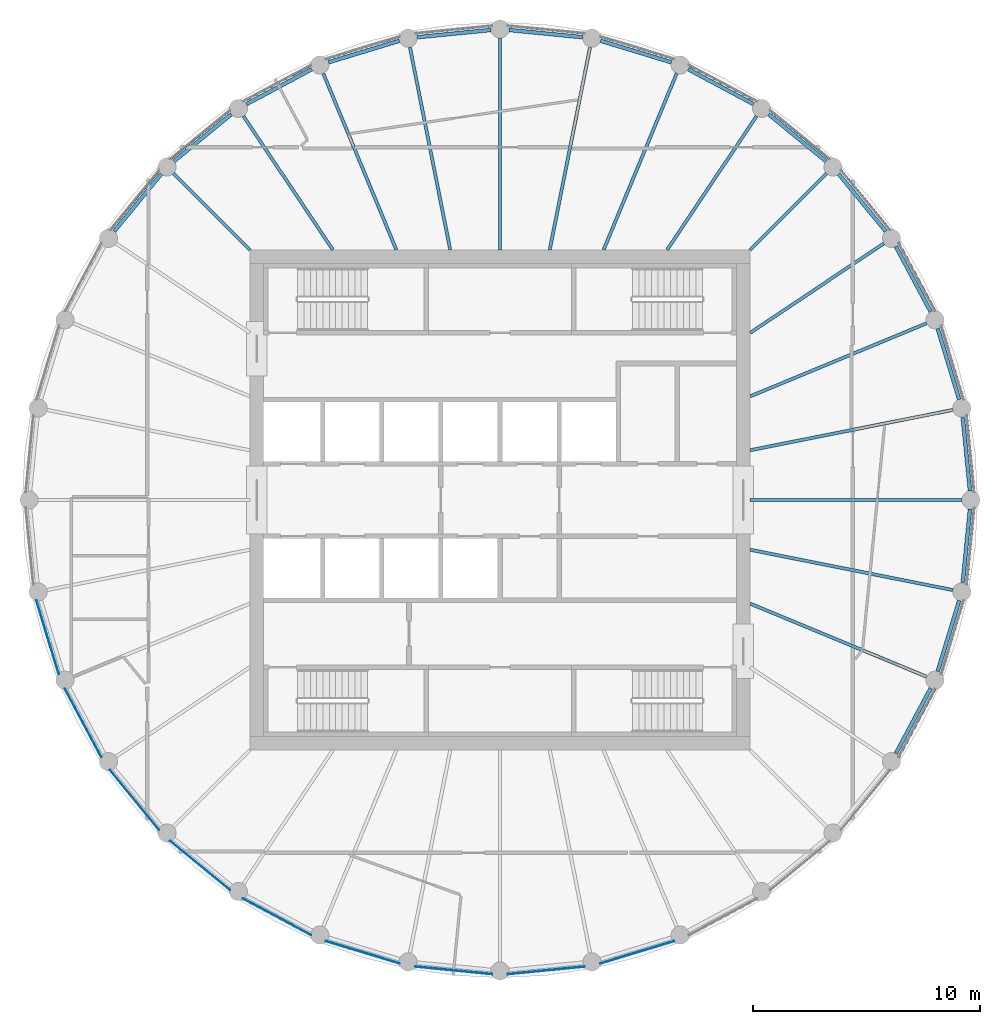
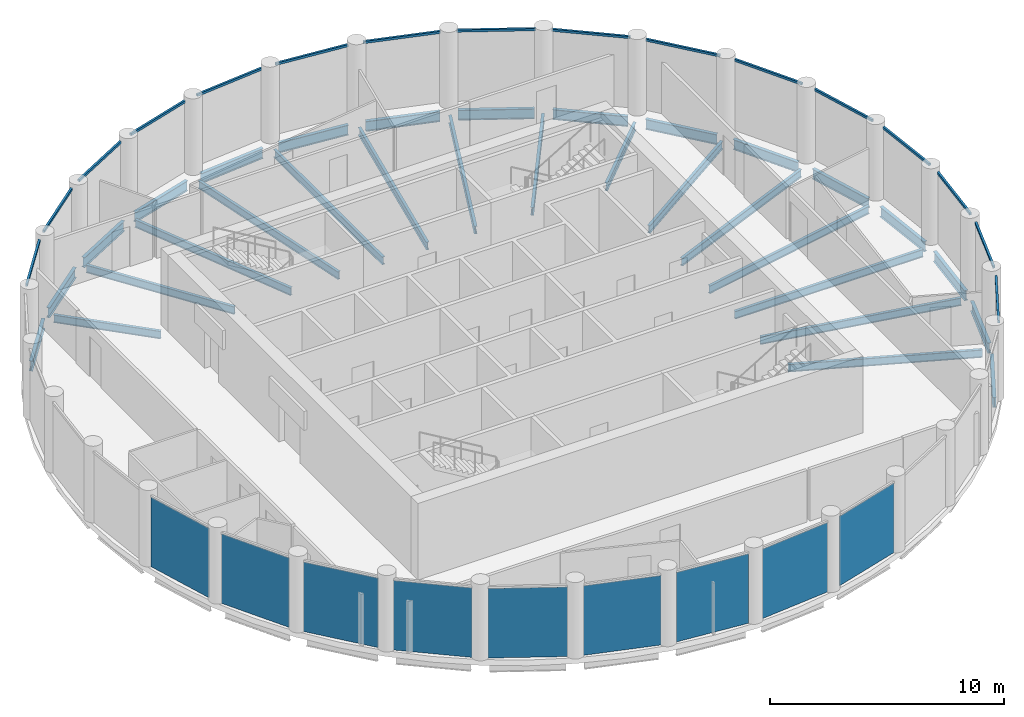
# One storey, part 2 of 7: 31 beams, 16 members, 9 plates, 25 elements without a shape of their own.
"""IFC4 building model written with IfcOpenShell, lengths in metres."""

import ifcopenshell
import ifcopenshell.guid

model = None  # the IFC model being written
_history = None  # IfcOwnerHistory: only IFC2X3 demands one
_inside = {}  # id of a spatial element -> (the spatial element, [elements in it])
_under = {}  # id of a project, library or spatial element -> (it, [spatial elements below it])
_declared = {}  # id of a project -> (the project, [libraries it declares])
_typed = {}  # id of a type object -> (the type object, [elements of that type])
_made_of = {}  # id of a material, layer set ... -> (it, [elements and type objects made of it])


def new_model(schema):
    """Start an empty IFC model of exactly this schema.

    Asked for "IFC4X3", IfcOpenShell would pick the latest addendum, in which some entities
    have other attributes; the version numbers below select the first issue.
    IFC2X3 requires an IfcOwnerHistory on every rooted entity: one is made here for all.
    """
    global model, _history
    if schema == "IFC4X3":
        model = ifcopenshell.file(schema_version=(4, 3, 0, 0))
    else:
        model = ifcopenshell.file(schema=schema)
    _inside.clear()
    _under.clear()
    _declared.clear()
    _typed.clear()
    _made_of.clear()
    _history = None
    if model.schema == "IFC2X3":
        org = make("IfcOrganization", Name="unknown")
        user = make(
            "IfcPersonAndOrganization",
            ThePerson=make("IfcPerson", FamilyName="unknown"),
            TheOrganization=org,
        )
        app = make(
            "IfcApplication",
            ApplicationDeveloper=org,
            Version="unknown",
            ApplicationFullName="unknown",
            ApplicationIdentifier="unknown",
        )
        _history = make(
            "IfcOwnerHistory",
            OwningUser=user,
            OwningApplication=app,
            ChangeAction="ADDED",
            CreationDate=0,
        )
    return model


def make(cls, **values):
    """One entity of the class cls with the attributes given. An attribute that is None is left unset."""
    return model.create_entity(
        cls, **{name: value for name, value in values.items() if value is not None}
    )


def rooted(cls, **values):
    """An entity with a GlobalId (a new one), such as an element, a storey or a relation."""
    return make(cls, GlobalId=ifcopenshell.guid.new(), OwnerHistory=_history, **values)


def si_unit(unit_type, name, prefix=None):
    """IfcSIUnit, for example si_unit("LENGTHUNIT", "METRE", prefix="MILLI")."""
    return make("IfcSIUnit", UnitType=unit_type, Prefix=prefix, Name=name)


def assignment(units):
    """IfcUnitAssignment: the units of a project."""
    return None if units is None else make("IfcUnitAssignment", Units=units)


def point(xyz):
    """IfcCartesianPoint."""
    return None if xyz is None else make("IfcCartesianPoint", Coordinates=xyz)


def direction(xyz):
    """IfcDirection."""
    return None if xyz is None else make("IfcDirection", DirectionRatios=xyz)


def frame(location, z_axis=None, x_axis=None):
    """IfcAxis2Placement3D, a coordinate frame: its origin and axes. An axis left out is left unset."""
    return make(
        "IfcAxis2Placement3D",
        Location=point(location),
        Axis=direction(z_axis),
        RefDirection=direction(x_axis),
    )


def frame_2d(location, x_axis=None):
    """IfcAxis2Placement2D, a coordinate frame in the plane: its origin and x axis."""
    return make(
        "IfcAxis2Placement2D", Location=point(location), RefDirection=direction(x_axis)
    )


def origin():
    """The frame at (0, 0, 0) with its axes left unset."""
    return frame((0.0, 0.0, 0.0))


def origin_2d():
    """The frame at (0, 0) in the plane with its x axis left unset."""
    return frame_2d((0.0, 0.0))


def place(relative_to, where):
    """IfcLocalPlacement: puts the frame where relative to a parent placement (None: the world)."""
    return make(
        "IfcLocalPlacement", PlacementRelTo=relative_to, RelativePlacement=where
    )


def context(
    kind, dimensions, precision=None, world=None, true_north=None, identifier=None
):
    """IfcGeometricRepresentationContext, for example the 3D "Model" context."""
    return make(
        "IfcGeometricRepresentationContext",
        ContextIdentifier=identifier,
        ContextType=kind,
        CoordinateSpaceDimension=dimensions,
        Precision=precision,
        WorldCoordinateSystem=world,
        TrueNorth=true_north,
    )


def subcontext(parent, identifier, kind, view, scale=None):
    """IfcGeometricRepresentationSubContext, for example "Body" below "Model"."""
    return make(
        "IfcGeometricRepresentationSubContext",
        ContextIdentifier=identifier,
        ContextType=kind,
        ParentContext=parent,
        TargetScale=scale,
        TargetView=view,
    )


def project(units=None, contexts=None):
    """IfcProject with its units and contexts."""
    return rooted(
        "IfcProject",
        Name="project",
        RepresentationContexts=contexts,
        UnitsInContext=assignment(units),
    )


def spatial(cls, under=None, at=None, **own):
    """A site, building, storey or space (cls), placed at a placement, below another one or the project."""
    s = rooted(cls, ObjectPlacement=at, **own)
    if under is not None:
        _under.setdefault(under.id(), (under, []))[1].append(s)
    return s


def profile(cls, at=None, kind="AREA", **sizes):
    """A parametric profile (cls). Its sizes go by their IFC names, for example OverallWidth=200.0."""
    return make(cls, ProfileType=kind, Position=at, **sizes)


def rectangle(**sizes):
    """IfcRectangleProfileDef."""
    return profile("IfcRectangleProfileDef", **sizes)


def i_section(**sizes):
    """IfcIShapeProfileDef."""
    return profile("IfcIShapeProfileDef", **sizes)


def extrude(swept, where, along, depth):
    """IfcExtrudedAreaSolid: the profile swept, set in the frame where, extruded along a direction by depth."""
    return make(
        "IfcExtrudedAreaSolid",
        SweptArea=swept,
        Position=where,
        ExtrudedDirection=direction(along),
        Depth=depth,
    )


def shape(context_of_items, identifier, shape_type, items):
    """IfcShapeRepresentation: the items that make up one representation, for example the "Body"."""
    return make(
        "IfcShapeRepresentation",
        ContextOfItems=context_of_items,
        RepresentationIdentifier=identifier,
        RepresentationType=shape_type,
        Items=items,
    )


def material(Name=None, Category=None):
    """IfcMaterial."""
    return make("IfcMaterial", Name=Name, Category=Category)


def layer(
    of_material, thickness, ventilated=None, Name=None, Category=None, Priority=None
):
    """IfcMaterialLayer: one layer of a wall or slab, of a material (None: an air gap)."""
    return make(
        "IfcMaterialLayer",
        Material=of_material,
        LayerThickness=thickness,
        IsVentilated=ventilated,
        Name=Name,
        Category=Category,
        Priority=Priority,
    )


def layer_set(layers, Name=None):
    """IfcMaterialLayerSet."""
    return make("IfcMaterialLayerSet", MaterialLayers=layers, LayerSetName=Name)


def material_profile(
    of_material, cross_section, Name=None, Category=None, Priority=None
):
    """IfcMaterialProfile: a cross section and its material."""
    return make(
        "IfcMaterialProfile",
        Name=Name,
        Material=of_material,
        Profile=cross_section,
        Priority=Priority,
        Category=Category,
    )


def profile_set(profiles, Name=None, composite=None):
    """IfcMaterialProfileSet."""
    return make(
        "IfcMaterialProfileSet",
        Name=Name,
        MaterialProfiles=profiles,
        CompositeProfile=composite,
    )


def made_of(thing, what):
    """Note that an element or type object is made of a material, layer set ...; save() writes the relation."""
    if what is not None:
        _made_of.setdefault(what.id(), (what, []))[1].append(thing)
    return thing


def type_object(cls, material=None, **own):
    """A type object (cls), such as IfcWallType, which elements share."""
    return made_of(rooted(cls, **own), material)


def element(
    cls,
    number,
    at=None,
    inside=None,
    cuts=None,
    type_object=None,
    material=None,
    context=None,
    identifier="Body",
    shape_type=None,
    held_by="IfcProductDefinitionShape",
    body=None,
    shapes=None,
    **own,
):
    """One element of the class cls, such as IfcWall. Its Tag is "e" and its number.

    at: its placement. inside: the storey or other place that contains it. cuts: it is an
    opening in that element (IfcRelVoidsElement). A single representation is given by context,
    identifier, shape_type and body (its items); several are given by shapes. held_by: the class
    of the entity that holds the representations. save() writes the other relations.
    """
    e = rooted(cls, Tag="e%d" % number, ObjectPlacement=at, **own)
    if body is not None:
        shapes = [shape(context, identifier, shape_type, body)]
    if shapes is not None:
        e.Representation = make(held_by, Representations=shapes)
    if inside is not None:
        _inside.setdefault(inside.id(), (inside, []))[1].append(e)
    if cuts is not None:
        rooted(
            "IfcRelVoidsElement", RelatingBuildingElement=cuts, RelatedOpeningElement=e
        )
    if type_object is not None:
        _typed.setdefault(type_object.id(), (type_object, []))[1].append(e)
    return made_of(e, material)


def aggregate(whole, parts):
    """IfcRelAggregates: a whole, such as a stair, and the parts it consists of."""
    return rooted("IfcRelAggregates", RelatingObject=whole, RelatedObjects=parts)


def save(model, path):
    """Write the relations noted so far, then the file.

    IfcRelAggregates (storeys below a building ...), IfcRelContainedInSpatialStructure (elements
    in a storey), IfcRelDefinesByType, IfcRelAssociatesMaterial and IfcRelDeclares: one each for
    every whole, place, type object, material and project.
    """
    for whole, parts in _under.values():
        aggregate(whole, parts)
    for where, things in _inside.values():
        rooted(
            "IfcRelContainedInSpatialStructure",
            RelatedElements=things,
            RelatingStructure=where,
        )
    for kind, things in _typed.values():
        rooted("IfcRelDefinesByType", RelatedObjects=things, RelatingType=kind)
    for what, things in _made_of.values():
        rooted("IfcRelAssociatesMaterial", RelatedObjects=things, RelatingMaterial=what)
    for by, libraries in _declared.values():
        rooted("IfcRelDeclares", RelatingContext=by, RelatedDefinitions=libraries)
    model.write(path)


model = new_model("IFC4")

# Units and contexts
model_context = context("Model", 3, precision=1e-05, world=origin(), true_north=direction((0.0, 1.0)))
body_context = subcontext(model_context, "Body", "Model", "MODEL_VIEW")
ifc_project = project(units=[si_unit("LENGTHUNIT", "METRE"), si_unit("AREAUNIT", "SQUARE_METRE"), si_unit("VOLUMEUNIT", "CUBIC_METRE"), si_unit("PLANEANGLEUNIT", "RADIAN"), si_unit("MASSUNIT", "GRAM", prefix="KILO")], contexts=[model_context])

# Site, building, storey
site_placement = place(None, origin())
site = spatial("IfcSite", under=ifc_project, at=site_placement, CompositionType="ELEMENT")
building_placement = place(site_placement, origin())
building = spatial("IfcBuilding", under=site, at=building_placement, Name="Corvane Civic Tower", CompositionType="ELEMENT")
storey_placement = place(building_placement, frame((0.0, 0.0, 344.5)))
storey = spatial("IfcBuildingStorey", under=building, at=storey_placement, Name="L82", CompositionType="ELEMENT", Elevation=344.5)

# Beams
ifc_material_1 = material(Name="Steel ASTM A992 Gr 50", Category="steel")
ifc_material_profile_1 = material_profile(ifc_material_1, i_section(OverallWidth=0.165771484375, OverallDepth=0.5283203125, WebThickness=0.009765625, FlangeThickness=0.013671875, at=origin_2d()), Name="W21X50")
ifc_profile_set_1 = profile_set([ifc_material_profile_1], Name="Steel ASTM A992 Gr 50")
beam_type_1 = type_object("IfcBeamType", Name="EDGE BEAM W21X50", PredefinedType="BEAM", material=ifc_profile_set_1)
beam_1_placement = place(storey_placement, frame((0.39794921875, 20.66064453125, -0.564208984375), z_axis=(0.995192503142, -0.097938152369, 0.0), x_axis=(0.097938152369, 0.995192503142, 0.0)))
element("IfcBeam", 1, at=beam_1_placement, inside=storey, type_object=beam_type_1, Name="BM-L82-E01", PredefinedType="BEAM", context=body_context, shape_type="SweptSolid", body=[
    extrude(i_section(OverallWidth=0.165771484375, OverallDepth=0.5283203125, WebThickness=0.009765625, FlangeThickness=0.013671875, at=origin_2d()), origin(), (0.0, 0.0, 1.0), 3.258056640625),
])
for number, where, z_axis, x_axis, name in (
    (2, (4.421142578125, 20.18603515625, -0.564208984375), (0.956955679349, -0.290234091317, 0.0), (0.290234091317, 0.956955679349, 0.0), "BM-L82-E02"),
    (3, (8.2744140625, 18.935791015625, -0.564208984375), (0.881894065907, -0.471447618, 0.0), (0.471447618, 0.881894065907, 0.0), "BM-L82-E03"),
    (4, (11.8095703125, 16.957763671875, -0.564208984375), (0.772984791903, -0.634424551454, 0.0), (0.634424551454, 0.772984791903, 0.0), "BM-L82-E04"),
    (5, (14.890869140625, 14.327880859375, -0.564208984375), (0.634424551454, -0.772984791903, 0.0), (0.772984791903, 0.634424551454, 0.0), "BM-L82-E05"),
    (6, (17.39990234375, 11.1474609375, -0.564208984375), (0.471447618, -0.881894065907, 0.0), (0.881894065907, 0.471447618, 0.0), "BM-L82-E06"),
    (7, (19.240478515625, 7.538818359375, -0.564208984375), (0.290234091317, -0.956955679349, 0.0), (0.956955679349, 0.290234091317, 0.0), "BM-L82-E07"),
):
    element("IfcBeam", number, at=place(storey_placement, frame(where, z_axis=z_axis, x_axis=x_axis)), inside=storey, type_object=beam_type_1, Name=name, PredefinedType="BEAM", context=body_context, shape_type="SweptSolid", body=[
        extrude(i_section(OverallWidth=0.165771484375, OverallDepth=0.5283203125, WebThickness=0.009765625, FlangeThickness=0.013671875, at=origin_2d()), origin(), (0.0, 0.0, 1.0), 3.2578125),
    ])
for number, where, z_axis, x_axis, name in (
    (8, (20.341552734375, 3.640380859375, -0.564208984375), (0.097938152369, -0.995192503142, 0.0), (0.995192503142, 0.097938152369, 0.0), "BM-L82-E08"),
    (9, (20.66064453125, -0.39794921875, -0.564208984375), (-0.097938152369, -0.995192503142, 0.0), (0.995192503142, -0.097938152369, 0.0), "BM-L82-E09"),
):
    element("IfcBeam", number, at=place(storey_placement, frame(where, z_axis=z_axis, x_axis=x_axis)), inside=storey, type_object=beam_type_1, Name=name, PredefinedType="BEAM", context=body_context, shape_type="SweptSolid", body=[
        extrude(i_section(OverallWidth=0.165771484375, OverallDepth=0.5283203125, WebThickness=0.009765625, FlangeThickness=0.013671875, at=origin_2d()), origin(), (0.0, 0.0, 1.0), 3.258056640625),
    ])
for number, where, z_axis, x_axis, name in (
    (10, (20.18603515625, -4.421142578125, -0.564208984375), (-0.290234091317, -0.956955679349, 0.0), (0.956955679349, -0.290234091317, 0.0), "BM-L82-E10"),
    (11, (18.935791015625, -8.2744140625, -0.564208984375), (-0.471447618, -0.881894065907, 0.0), (0.881894065907, -0.471447618, 0.0), "BM-L82-E11"),
    (12, (-16.957763671875, 11.8095703125, -0.564208984375), (0.634424551454, 0.772984791903, 0.0), (-0.772984791903, 0.634424551454, 0.0), "BM-L82-E28"),
    (13, (-14.327880859375, 14.890869140625, -0.564208984375), (0.772984791903, 0.634424551454, 0.0), (-0.634424551454, 0.772984791903, 0.0), "BM-L82-E29"),
    (14, (-11.1474609375, 17.39990234375, -0.564208984375), (0.881894065907, 0.471447618, 0.0), (-0.471447618, 0.881894065907, 0.0), "BM-L82-E30"),
    (15, (-7.538818359375, 19.240478515625, -0.564208984375), (0.956955679349, 0.290234091317, 0.0), (-0.290234091317, 0.956955679349, 0.0), "BM-L82-E31"),
):
    element("IfcBeam", number, at=place(storey_placement, frame(where, z_axis=z_axis, x_axis=x_axis)), inside=storey, type_object=beam_type_1, Name=name, PredefinedType="BEAM", context=body_context, shape_type="SweptSolid", body=[
        extrude(i_section(OverallWidth=0.165771484375, OverallDepth=0.5283203125, WebThickness=0.009765625, FlangeThickness=0.013671875, at=origin_2d()), origin(), (0.0, 0.0, 1.0), 3.2578125),
    ])
beam_2_placement = place(storey_placement, frame((-3.640380859375, 20.341552734375, -0.564208984375), z_axis=(0.995192503142, 0.097938152369, 0.0), x_axis=(-0.097938152369, 0.995192503142, 0.0)))
element("IfcBeam", 16, at=beam_2_placement, inside=storey, type_object=beam_type_1, Name="BM-L82-E32", PredefinedType="BEAM", context=body_context, shape_type="SweptSolid", body=[
    extrude(i_section(OverallWidth=0.165771484375, OverallDepth=0.5283203125, WebThickness=0.009765625, FlangeThickness=0.013671875, at=origin_2d()), origin(), (0.0, 0.0, 1.0), 3.258056640625),
])
ifc_material_2 = material(Name="Steel ASTM A992 Gr 50", Category="steel")
ifc_material_profile_2 = material_profile(ifc_material_2, i_section(OverallWidth=0.140380859375, OverallDepth=0.40380859375, WebThickness=0.007080078125, FlangeThickness=0.01123046875, at=origin_2d()), Name="W16X31")
ifc_profile_set_2 = profile_set([ifc_material_profile_2], Name="Steel ASTM A992 Gr 50")
beam_type_2 = type_object("IfcBeamType", Name="FLOOR GIRDER W16X31", PredefinedType="BEAM", material=ifc_profile_set_2)
beam_3_placement = place(storey_placement, frame((0.0, 11.0, -0.501953125), z_axis=(0.0, 1.0, 0.0), x_axis=(-1.0, 0.0, 0.0)))
element("IfcBeam", 17, at=beam_3_placement, inside=storey, type_object=beam_type_2, Name="BM-L82-G01", PredefinedType="BEAM", context=body_context, shape_type="SweptSolid", body=[
    extrude(i_section(OverallWidth=0.140380859375, OverallDepth=0.40380859375, WebThickness=0.007080078125, FlangeThickness=0.01123046875, at=origin_2d()), origin(), (0.0, 0.0, 1.0), 9.300048828125),
])
beam_4_placement = place(storey_placement, frame((2.18798828125, 11.0, -0.501953125), z_axis=(0.195108241061, 0.980781715913, 0.0), x_axis=(-0.980781715913, 0.195108241061, 0.0)))
element("IfcBeam", 18, at=beam_4_placement, inside=storey, type_object=beam_type_2, Name="BM-L82-G02", PredefinedType="BEAM", context=body_context, shape_type="SweptSolid", body=[
    extrude(i_section(OverallWidth=0.140380859375, OverallDepth=0.40380859375, WebThickness=0.007080078125, FlangeThickness=0.01123046875, at=origin_2d()), origin(), (0.0, 0.0, 1.0), 9.08447265625),
])
beam_5_placement = place(storey_placement, frame((4.556396484375, 11.0, -0.501953125), z_axis=(0.382691739894, 0.923876091377, 0.0), x_axis=(-0.923876091377, 0.382691739894, 0.0)))
element("IfcBeam", 19, at=beam_5_placement, inside=storey, type_object=beam_type_2, Name="BM-L82-G03", PredefinedType="BEAM", context=body_context, shape_type="SweptSolid", body=[
    extrude(i_section(OverallWidth=0.140380859375, OverallDepth=0.40380859375, WebThickness=0.007080078125, FlangeThickness=0.01123046875, at=origin_2d()), origin(), (0.0, 0.0, 1.0), 8.3935546875),
])
beam_6_placement = place(storey_placement, frame((7.349853515625, 11.0, -0.501953125), z_axis=(0.555576401385, 0.831465490699, 0.0), x_axis=(-0.831465490699, 0.555576401385, 0.0)))
element("IfcBeam", 20, at=beam_6_placement, inside=storey, type_object=beam_type_2, Name="BM-L82-G04", PredefinedType="BEAM", context=body_context, shape_type="SweptSolid", body=[
    extrude(i_section(OverallWidth=0.140380859375, OverallDepth=0.40380859375, WebThickness=0.007080078125, FlangeThickness=0.01123046875, at=origin_2d()), origin(), (0.0, 0.0, 1.0), 7.070556640625),
])
beam_7_placement = place(storey_placement, frame((11.0, 11.0, -0.501953125), z_axis=(0.707106781187, 0.707106781187, 0.0), x_axis=(-0.707106781187, 0.707106781187, 0.0)))
element("IfcBeam", 21, at=beam_7_placement, inside=storey, type_object=beam_type_2, Name="BM-L82-G05", PredefinedType="BEAM", context=body_context, shape_type="SweptSolid", body=[
    extrude(i_section(OverallWidth=0.140380859375, OverallDepth=0.40380859375, WebThickness=0.007080078125, FlangeThickness=0.01123046875, at=origin_2d()), origin(), (0.0, 0.0, 1.0), 4.74365234375),
])
beam_8_placement = place(storey_placement, frame((11.0, 7.349853515625, -0.501953125), z_axis=(0.831465490699, 0.555576401385, 0.0), x_axis=(-0.555576401385, 0.831465490699, 0.0)))
element("IfcBeam", 22, at=beam_8_placement, inside=storey, type_object=beam_type_2, Name="BM-L82-G06", PredefinedType="BEAM", context=body_context, shape_type="SweptSolid", body=[
    extrude(i_section(OverallWidth=0.140380859375, OverallDepth=0.40380859375, WebThickness=0.007080078125, FlangeThickness=0.01123046875, at=origin_2d()), origin(), (0.0, 0.0, 1.0), 7.070556640625),
])
beam_9_placement = place(storey_placement, frame((11.0, 4.556396484375, -0.501953125), z_axis=(0.923876091377, 0.382691739894, 0.0), x_axis=(-0.382691739894, 0.923876091377, 0.0)))
element("IfcBeam", 23, at=beam_9_placement, inside=storey, type_object=beam_type_2, Name="BM-L82-G07", PredefinedType="BEAM", context=body_context, shape_type="SweptSolid", body=[
    extrude(i_section(OverallWidth=0.140380859375, OverallDepth=0.40380859375, WebThickness=0.007080078125, FlangeThickness=0.01123046875, at=origin_2d()), origin(), (0.0, 0.0, 1.0), 8.3935546875),
])
beam_10_placement = place(storey_placement, frame((11.0, 2.18798828125, -0.501953125), z_axis=(0.980781715913, 0.195108241061, 0.0), x_axis=(-0.195108241061, 0.980781715913, 0.0)))
element("IfcBeam", 24, at=beam_10_placement, inside=storey, type_object=beam_type_2, Name="BM-L82-G08", PredefinedType="BEAM", context=body_context, shape_type="SweptSolid", body=[
    extrude(i_section(OverallWidth=0.140380859375, OverallDepth=0.40380859375, WebThickness=0.007080078125, FlangeThickness=0.01123046875, at=origin_2d()), origin(), (0.0, 0.0, 1.0), 9.08447265625),
])
beam_11_placement = place(storey_placement, frame((11.0, 0.0, -0.501953125), z_axis=(1.0, 0.0, 0.0), x_axis=(0.0, 1.0, 0.0)))
element("IfcBeam", 25, at=beam_11_placement, inside=storey, type_object=beam_type_2, Name="BM-L82-G09", PredefinedType="BEAM", context=body_context, shape_type="SweptSolid", body=[
    extrude(i_section(OverallWidth=0.140380859375, OverallDepth=0.40380859375, WebThickness=0.007080078125, FlangeThickness=0.01123046875, at=origin_2d()), origin(), (0.0, 0.0, 1.0), 9.300048828125),
])
beam_12_placement = place(storey_placement, frame((11.0, -2.18798828125, -0.501953125), z_axis=(0.980781715913, -0.195108241061, 0.0), x_axis=(0.195108241061, 0.980781715913, 0.0)))
element("IfcBeam", 26, at=beam_12_placement, inside=storey, type_object=beam_type_2, Name="BM-L82-G10", PredefinedType="BEAM", context=body_context, shape_type="SweptSolid", body=[
    extrude(i_section(OverallWidth=0.140380859375, OverallDepth=0.40380859375, WebThickness=0.007080078125, FlangeThickness=0.01123046875, at=origin_2d()), origin(), (0.0, 0.0, 1.0), 9.08447265625),
])
beam_13_placement = place(storey_placement, frame((11.0, -4.556396484375, -0.501953125), z_axis=(0.923876091377, -0.382691739894, 0.0), x_axis=(0.382691739894, 0.923876091377, 0.0)))
element("IfcBeam", 27, at=beam_13_placement, inside=storey, type_object=beam_type_2, Name="BM-L82-G11", PredefinedType="BEAM", context=body_context, shape_type="SweptSolid", body=[
    extrude(i_section(OverallWidth=0.140380859375, OverallDepth=0.40380859375, WebThickness=0.007080078125, FlangeThickness=0.01123046875, at=origin_2d()), origin(), (0.0, 0.0, 1.0), 8.3935546875),
])
beam_14_placement = place(storey_placement, frame((-11.0, 11.0, -0.501953125), z_axis=(-0.707106781187, 0.707106781187, 0.0), x_axis=(-0.707106781187, -0.707106781187, 0.0)))
element("IfcBeam", 28, at=beam_14_placement, inside=storey, type_object=beam_type_2, Name="BM-L82-G29", PredefinedType="BEAM", context=body_context, shape_type="SweptSolid", body=[
    extrude(i_section(OverallWidth=0.140380859375, OverallDepth=0.40380859375, WebThickness=0.007080078125, FlangeThickness=0.01123046875, at=origin_2d()), origin(), (0.0, 0.0, 1.0), 4.74365234375),
])
beam_15_placement = place(storey_placement, frame((-7.349853515625, 11.0, -0.501953125), z_axis=(-0.555576401385, 0.831465490699, 0.0), x_axis=(-0.831465490699, -0.555576401385, 0.0)))
element("IfcBeam", 29, at=beam_15_placement, inside=storey, type_object=beam_type_2, Name="BM-L82-G30", PredefinedType="BEAM", context=body_context, shape_type="SweptSolid", body=[
    extrude(i_section(OverallWidth=0.140380859375, OverallDepth=0.40380859375, WebThickness=0.007080078125, FlangeThickness=0.01123046875, at=origin_2d()), origin(), (0.0, 0.0, 1.0), 7.070556640625),
])
beam_16_placement = place(storey_placement, frame((-4.556396484375, 11.0, -0.501953125), z_axis=(-0.382691739894, 0.923876091377, 0.0), x_axis=(-0.923876091377, -0.382691739894, 0.0)))
element("IfcBeam", 30, at=beam_16_placement, inside=storey, type_object=beam_type_2, Name="BM-L82-G31", PredefinedType="BEAM", context=body_context, shape_type="SweptSolid", body=[
    extrude(i_section(OverallWidth=0.140380859375, OverallDepth=0.40380859375, WebThickness=0.007080078125, FlangeThickness=0.01123046875, at=origin_2d()), origin(), (0.0, 0.0, 1.0), 8.3935546875),
])
beam_17_placement = place(storey_placement, frame((-2.18798828125, 11.0, -0.501953125), z_axis=(-0.195108241061, 0.980781715913, 0.0), x_axis=(-0.980781715913, -0.195108241061, 0.0)))
element("IfcBeam", 31, at=beam_17_placement, inside=storey, type_object=beam_type_2, Name="BM-L82-G32", PredefinedType="BEAM", context=body_context, shape_type="SweptSolid", body=[
    extrude(i_section(OverallWidth=0.140380859375, OverallDepth=0.40380859375, WebThickness=0.007080078125, FlangeThickness=0.01123046875, at=origin_2d()), origin(), (0.0, 0.0, 1.0), 9.08447265625),
])

# Curtain wall, member
ifc_material_3 = material(Name="Anodised aluminium bronze", Category="aluminium")
curtain_wall_type = type_object("IfcCurtainWallType", Name="TOWER CW-T3 STICK CURTAIN WALL", PredefinedType="NOTDEFINED", material=ifc_material_3)
curtain_wall_1_placement = place(storey_placement, origin())
curtain_wall_1 = element("IfcCurtainWall", 32, at=curtain_wall_1_placement, inside=storey, type_object=curtain_wall_type, Name="Curtain wall CW-T3 L82 bay 01", PredefinedType="NOTDEFINED")
ifc_material_4 = material(Name="Anodised aluminium bronze", Category="aluminium")
ifc_material_profile_3 = material_profile(ifc_material_4, rectangle(XDim=0.10009765625, YDim=0.1201171875, at=origin_2d()), Name="TOWER CW-T3 TRANSOM 100x120")
ifc_profile_set_3 = profile_set([ifc_material_profile_3], Name="Anodised aluminium bronze")
member_type = type_object("IfcMemberType", Name="TOWER CW-T3 TRANSOM 100x120", PredefinedType="USERDEFINED", material=ifc_profile_set_3)
member_1_placement = place(storey_placement, frame((0.34375, 20.845947265625, 3.68994140625), z_axis=(0.995191564676, -0.097947688066, 0.0), x_axis=(0.097947688066, 0.995191564676, 0.0)))
member_1 = element("IfcMember", 33, at=member_1_placement, type_object=member_type, Name="Transom CW-T3 L82 01.1", ObjectType="TRANSOM", PredefinedType="USERDEFINED", context=body_context, shape_type="SweptSolid", body=[
    extrude(rectangle(XDim=0.10009765625, YDim=0.1201171875, at=origin_2d()), origin(), (0.0, 0.0, 1.0), 3.40234375),
])
aggregate(curtain_wall_1, [member_1])

curtain_wall_2_placement = place(storey_placement, origin())
curtain_wall_2 = element("IfcCurtainWall", 34, at=curtain_wall_2_placement, inside=storey, type_object=curtain_wall_type, Name="Curtain wall CW-T3 L82 bay 02", PredefinedType="NOTDEFINED")
member_2_placement = place(storey_placement, frame((4.40380859375, 20.37841796875, 3.68994140625), z_axis=(0.956961022204, -0.290216474345, 0.0), x_axis=(0.290216474345, 0.956961022204, 0.0)))
member_2 = element("IfcMember", 35, at=member_2_placement, type_object=member_type, Name="Transom CW-T3 L82 02.1", ObjectType="TRANSOM", PredefinedType="USERDEFINED", context=body_context, shape_type="SweptSolid", body=[
    extrude(rectangle(XDim=0.10009765625, YDim=0.1201171875, at=origin_2d()), origin(), (0.0, 0.0, 1.0), 3.40283203125),
])
aggregate(curtain_wall_2, [member_2])

curtain_wall_3_placement = place(storey_placement, origin())
curtain_wall_3 = element("IfcCurtainWall", 36, at=curtain_wall_3_placement, inside=storey, type_object=curtain_wall_type, Name="Curtain wall CW-T3 L82 bay 03", PredefinedType="NOTDEFINED")
member_3_placement = place(storey_placement, frame((8.294921875, 19.127685546875, 3.68994140625), z_axis=(0.881941440444, -0.471358988063, 0.0), x_axis=(0.471358988063, 0.881941440444, 0.0)))
member_3 = element("IfcMember", 37, at=member_3_placement, type_object=member_type, Name="Transom CW-T3 L82 03.1", ObjectType="TRANSOM", PredefinedType="USERDEFINED", context=body_context, shape_type="SweptSolid", body=[
    extrude(rectangle(XDim=0.10009765625, YDim=0.1201171875, at=origin_2d()), origin(), (0.0, 0.0, 1.0), 3.40234375),
])
aggregate(curtain_wall_3, [member_3])

curtain_wall_4_placement = place(storey_placement, origin())
curtain_wall_4 = element("IfcCurtainWall", 38, at=curtain_wall_4_placement, inside=storey, type_object=curtain_wall_type, Name="Curtain wall CW-T3 L82 bay 04", PredefinedType="NOTDEFINED")
member_4_placement = place(storey_placement, frame((11.8671875, 17.14208984375, 3.68994140625), z_axis=(0.773010217358, -0.634393571736, 0.0), x_axis=(0.634393571736, 0.773010217358, 0.0)))
member_4 = element("IfcMember", 39, at=member_4_placement, type_object=member_type, Name="Transom CW-T3 L82 04.1", ObjectType="TRANSOM", PredefinedType="USERDEFINED", context=body_context, shape_type="SweptSolid", body=[
    extrude(rectangle(XDim=0.10009765625, YDim=0.1201171875, at=origin_2d()), origin(), (0.0, 0.0, 1.0), 3.40283203125),
])
aggregate(curtain_wall_4, [member_4])

curtain_wall_5_placement = place(storey_placement, origin())
curtain_wall_5 = element("IfcCurtainWall", 40, at=curtain_wall_5_placement, inside=storey, type_object=curtain_wall_type, Name="Curtain wall CW-T3 L82 bay 05", PredefinedType="NOTDEFINED")
member_5_placement = place(storey_placement, frame((14.9833984375, 14.49755859375, 3.68994140625), z_axis=(0.634393571736, -0.773010217358, 0.0), x_axis=(0.773010217358, 0.634393571736, 0.0)))
member_5 = element("IfcMember", 41, at=member_5_placement, type_object=member_type, Name="Transom CW-T3 L82 05.1", ObjectType="TRANSOM", PredefinedType="USERDEFINED", context=body_context, shape_type="SweptSolid", body=[
    extrude(rectangle(XDim=0.10009765625, YDim=0.1201171875, at=origin_2d()), origin(), (0.0, 0.0, 1.0), 3.40283203125),
])
aggregate(curtain_wall_5, [member_5])

curtain_wall_6_placement = place(storey_placement, origin())
curtain_wall_6 = element("IfcCurtainWall", 42, at=curtain_wall_6_placement, inside=storey, type_object=curtain_wall_type, Name="Curtain wall CW-T3 L82 bay 06", PredefinedType="NOTDEFINED")
member_6_placement = place(storey_placement, frame((17.52392578125, 11.295654296875, 3.68994140625), z_axis=(0.471358988063, -0.881941440444, 0.0), x_axis=(0.881941440444, 0.471358988063, 0.0)))
member_6 = element("IfcMember", 43, at=member_6_placement, type_object=member_type, Name="Transom CW-T3 L82 06.1", ObjectType="TRANSOM", PredefinedType="USERDEFINED", context=body_context, shape_type="SweptSolid", body=[
    extrude(rectangle(XDim=0.10009765625, YDim=0.1201171875, at=origin_2d()), origin(), (0.0, 0.0, 1.0), 3.40234375),
])
aggregate(curtain_wall_6, [member_6])

curtain_wall_7_placement = place(storey_placement, origin())
curtain_wall_7 = element("IfcCurtainWall", 44, at=curtain_wall_7_placement, inside=storey, type_object=curtain_wall_type, Name="Curtain wall CW-T3 L82 bay 07", PredefinedType="NOTDEFINED")
member_7_placement = place(storey_placement, frame((19.390869140625, 7.66015625, 3.68994140625), z_axis=(0.290216474345, -0.956961022204, 0.0), x_axis=(0.956961022204, 0.290216474345, 0.0)))
member_7 = element("IfcMember", 45, at=member_7_placement, type_object=member_type, Name="Transom CW-T3 L82 07.1", ObjectType="TRANSOM", PredefinedType="USERDEFINED", context=body_context, shape_type="SweptSolid", body=[
    extrude(rectangle(XDim=0.10009765625, YDim=0.1201171875, at=origin_2d()), origin(), (0.0, 0.0, 1.0), 3.40283203125),
])
aggregate(curtain_wall_7, [member_7])

curtain_wall_8_placement = place(storey_placement, origin())
curtain_wall_8 = element("IfcCurtainWall", 46, at=curtain_wall_8_placement, inside=storey, type_object=curtain_wall_type, Name="Curtain wall CW-T3 L82 bay 08", PredefinedType="NOTDEFINED")
member_8_placement = place(storey_placement, frame((20.5126953125, 3.729736328125, 3.68994140625), z_axis=(0.097947688066, -0.995191564676, 0.0), x_axis=(0.995191564676, 0.097947688066, 0.0)))
member_8 = element("IfcMember", 47, at=member_8_placement, type_object=member_type, Name="Transom CW-T3 L82 08.1", ObjectType="TRANSOM", PredefinedType="USERDEFINED", context=body_context, shape_type="SweptSolid", body=[
    extrude(rectangle(XDim=0.10009765625, YDim=0.1201171875, at=origin_2d()), origin(), (0.0, 0.0, 1.0), 3.40234375),
])
aggregate(curtain_wall_8, [member_8])

curtain_wall_9_placement = place(storey_placement, origin())
curtain_wall_9 = element("IfcCurtainWall", 48, at=curtain_wall_9_placement, inside=storey, type_object=curtain_wall_type, Name="Curtain wall CW-T3 L82 bay 09", PredefinedType="NOTDEFINED")
member_9_placement = place(storey_placement, frame((20.845947265625, -0.34375, 3.68994140625), z_axis=(-0.097947688066, -0.995191564676, 0.0), x_axis=(0.995191564676, -0.097947688066, 0.0)))
member_9 = element("IfcMember", 49, at=member_9_placement, type_object=member_type, Name="Transom CW-T3 L82 09.1", ObjectType="TRANSOM", PredefinedType="USERDEFINED", context=body_context, shape_type="SweptSolid", body=[
    extrude(rectangle(XDim=0.10009765625, YDim=0.1201171875, at=origin_2d()), origin(), (0.0, 0.0, 1.0), 3.40234375),
])
aggregate(curtain_wall_9, [member_9])

curtain_wall_10_placement = place(storey_placement, origin())
curtain_wall_10 = element("IfcCurtainWall", 50, at=curtain_wall_10_placement, inside=storey, type_object=curtain_wall_type, Name="Curtain wall CW-T3 L82 bay 10", PredefinedType="NOTDEFINED")
member_10_placement = place(storey_placement, frame((20.37841796875, -4.40380859375, 3.68994140625), z_axis=(-0.290216474345, -0.956961022204, 0.0), x_axis=(0.956961022204, -0.290216474345, 0.0)))
member_10 = element("IfcMember", 51, at=member_10_placement, type_object=member_type, Name="Transom CW-T3 L82 10.1", ObjectType="TRANSOM", PredefinedType="USERDEFINED", context=body_context, shape_type="SweptSolid", body=[
    extrude(rectangle(XDim=0.10009765625, YDim=0.1201171875, at=origin_2d()), origin(), (0.0, 0.0, 1.0), 3.40283203125),
])
aggregate(curtain_wall_10, [member_10])

curtain_wall_11_placement = place(storey_placement, origin())
curtain_wall_11 = element("IfcCurtainWall", 52, at=curtain_wall_11_placement, inside=storey, type_object=curtain_wall_type, Name="Curtain wall CW-T3 L82 bay 11", PredefinedType="NOTDEFINED")
member_11_placement = place(storey_placement, frame((19.127685546875, -8.294921875, 3.68994140625), z_axis=(-0.471358988063, -0.881941440444, 0.0), x_axis=(0.881941440444, -0.471358988063, 0.0)))
member_11 = element("IfcMember", 53, at=member_11_placement, type_object=member_type, Name="Transom CW-T3 L82 11.1", ObjectType="TRANSOM", PredefinedType="USERDEFINED", context=body_context, shape_type="SweptSolid", body=[
    extrude(rectangle(XDim=0.10009765625, YDim=0.1201171875, at=origin_2d()), origin(), (0.0, 0.0, 1.0), 3.40234375),
])
aggregate(curtain_wall_11, [member_11])

curtain_wall_12_placement = place(storey_placement, origin())
curtain_wall_12 = element("IfcCurtainWall", 54, at=curtain_wall_12_placement, inside=storey, type_object=curtain_wall_type, Name="Curtain wall CW-T3 L82 bay 28", PredefinedType="NOTDEFINED")
member_12_placement = place(storey_placement, frame((-17.14208984375, 11.8671875, 3.68994140625), z_axis=(0.634393571736, 0.773010217358, 0.0), x_axis=(-0.773010217358, 0.634393571736, 0.0)))
member_12 = element("IfcMember", 55, at=member_12_placement, type_object=member_type, Name="Transom CW-T3 L82 28.1", ObjectType="TRANSOM", PredefinedType="USERDEFINED", context=body_context, shape_type="SweptSolid", body=[
    extrude(rectangle(XDim=0.10009765625, YDim=0.1201171875, at=origin_2d()), origin(), (0.0, 0.0, 1.0), 3.40283203125),
])
aggregate(curtain_wall_12, [member_12])

curtain_wall_13_placement = place(storey_placement, origin())
curtain_wall_13 = element("IfcCurtainWall", 56, at=curtain_wall_13_placement, inside=storey, type_object=curtain_wall_type, Name="Curtain wall CW-T3 L82 bay 29", PredefinedType="NOTDEFINED")
member_13_placement = place(storey_placement, frame((-14.49755859375, 14.9833984375, 3.68994140625), z_axis=(0.773010217358, 0.634393571736, 0.0), x_axis=(-0.634393571736, 0.773010217358, 0.0)))
member_13 = element("IfcMember", 57, at=member_13_placement, type_object=member_type, Name="Transom CW-T3 L82 29.1", ObjectType="TRANSOM", PredefinedType="USERDEFINED", context=body_context, shape_type="SweptSolid", body=[
    extrude(rectangle(XDim=0.10009765625, YDim=0.1201171875, at=origin_2d()), origin(), (0.0, 0.0, 1.0), 3.40283203125),
])
aggregate(curtain_wall_13, [member_13])

curtain_wall_14_placement = place(storey_placement, origin())
curtain_wall_14 = element("IfcCurtainWall", 58, at=curtain_wall_14_placement, inside=storey, type_object=curtain_wall_type, Name="Curtain wall CW-T3 L82 bay 30", PredefinedType="NOTDEFINED")
member_14_placement = place(storey_placement, frame((-11.295654296875, 17.52392578125, 3.68994140625), z_axis=(0.881941440444, 0.471358988063, 0.0), x_axis=(-0.471358988063, 0.881941440444, 0.0)))
member_14 = element("IfcMember", 59, at=member_14_placement, type_object=member_type, Name="Transom CW-T3 L82 30.1", ObjectType="TRANSOM", PredefinedType="USERDEFINED", context=body_context, shape_type="SweptSolid", body=[
    extrude(rectangle(XDim=0.10009765625, YDim=0.1201171875, at=origin_2d()), origin(), (0.0, 0.0, 1.0), 3.40234375),
])
aggregate(curtain_wall_14, [member_14])

curtain_wall_15_placement = place(storey_placement, origin())
curtain_wall_15 = element("IfcCurtainWall", 60, at=curtain_wall_15_placement, inside=storey, type_object=curtain_wall_type, Name="Curtain wall CW-T3 L82 bay 31", PredefinedType="NOTDEFINED")
member_15_placement = place(storey_placement, frame((-7.66015625, 19.390869140625, 3.68994140625), z_axis=(0.956961022204, 0.290216474345, 0.0), x_axis=(-0.290216474345, 0.956961022204, 0.0)))
member_15 = element("IfcMember", 61, at=member_15_placement, type_object=member_type, Name="Transom CW-T3 L82 31.1", ObjectType="TRANSOM", PredefinedType="USERDEFINED", context=body_context, shape_type="SweptSolid", body=[
    extrude(rectangle(XDim=0.10009765625, YDim=0.1201171875, at=origin_2d()), origin(), (0.0, 0.0, 1.0), 3.40283203125),
])
aggregate(curtain_wall_15, [member_15])

curtain_wall_16_placement = place(storey_placement, origin())
curtain_wall_16 = element("IfcCurtainWall", 62, at=curtain_wall_16_placement, inside=storey, type_object=curtain_wall_type, Name="Curtain wall CW-T3 L82 bay 32", PredefinedType="NOTDEFINED")
member_16_placement = place(storey_placement, frame((-3.729736328125, 20.5126953125, 3.68994140625), z_axis=(0.995191564676, 0.097947688066, 0.0), x_axis=(-0.097947688066, 0.995191564676, 0.0)))
member_16 = element("IfcMember", 63, at=member_16_placement, type_object=member_type, Name="Transom CW-T3 L82 32.1", ObjectType="TRANSOM", PredefinedType="USERDEFINED", context=body_context, shape_type="SweptSolid", body=[
    extrude(rectangle(XDim=0.10009765625, YDim=0.1201171875, at=origin_2d()), origin(), (0.0, 0.0, 1.0), 3.40234375),
])
aggregate(curtain_wall_16, [member_16])

# Curtain wall, plate
curtain_wall_17_placement = place(storey_placement, origin())
curtain_wall_17 = element("IfcCurtainWall", 64, at=curtain_wall_17_placement, inside=storey, type_object=curtain_wall_type, Name="Curtain wall CW-T3 L82 bay 15", PredefinedType="NOTDEFINED")
ifc_material_5 = material(Name="Tinted glass", Category="glass")
ifc_layer = layer(ifc_material_5, 0.028076171875)
ifc_layer_set = layer_set([ifc_layer], Name="Tinted glass")
plate_type = type_object("IfcPlateType", Name="TOWER CW-T3 PANEL IGU28", PredefinedType="CURTAIN_PANEL", material=ifc_layer_set)
plate_1_placement = place(storey_placement, frame((6.031982421875, -19.884765625, 0.0), z_axis=(0.0, 0.0, 1.0), x_axis=(-0.956938582641, -0.290290456359, 0.0)))
plate_1 = element("IfcPlate", 65, at=plate_1_placement, type_object=plate_type, Name="Glass panel CW-T3 L82 15.1", PredefinedType="CURTAIN_PANEL", context=body_context, shape_type="SweptSolid", body=[
    extrude(rectangle(XDim=3.40283203125, YDim=0.028076171875, at=origin_2d()), origin(), (0.0, 0.0, 1.0), 3.6298828125),
])
aggregate(curtain_wall_17, [plate_1])

curtain_wall_18_placement = place(storey_placement, origin())
curtain_wall_18 = element("IfcCurtainWall", 66, at=curtain_wall_18_placement, inside=storey, type_object=curtain_wall_type, Name="Curtain wall CW-T3 L82 bay 16", PredefinedType="NOTDEFINED")
plate_2_placement = place(storey_placement, frame((2.03662109375, -20.679443359375, 0.0), z_axis=(0.0, 0.0, 1.0), x_axis=(-0.995186641028, -0.097997701601, 0.0)))
plate_2 = element("IfcPlate", 67, at=plate_2_placement, type_object=plate_type, Name="Glass panel CW-T3 L82 16.1", PredefinedType="CURTAIN_PANEL", context=body_context, shape_type="SweptSolid", body=[
    extrude(rectangle(XDim=3.402587890625, YDim=0.028076171875, at=origin_2d()), origin(), (0.0, 0.0, 1.0), 3.6298828125),
])
aggregate(curtain_wall_18, [plate_2])

curtain_wall_19_placement = place(storey_placement, origin())
curtain_wall_19 = element("IfcCurtainWall", 68, at=curtain_wall_19_placement, inside=storey, type_object=curtain_wall_type, Name="Curtain wall CW-T3 L82 bay 17", PredefinedType="NOTDEFINED")
plate_3_placement = place(storey_placement, frame((-2.03662109375, -20.679443359375, 0.0), z_axis=(0.0, 0.0, 1.0), x_axis=(-0.995186641028, 0.097997701601, 0.0)))
plate_3 = element("IfcPlate", 69, at=plate_3_placement, type_object=plate_type, Name="Glass panel CW-T3 L82 17.1", PredefinedType="CURTAIN_PANEL", context=body_context, shape_type="SweptSolid", body=[
    extrude(rectangle(XDim=3.402587890625, YDim=0.028076171875, at=origin_2d()), origin(), (0.0, 0.0, 1.0), 3.6298828125),
])
aggregate(curtain_wall_19, [plate_3])

curtain_wall_20_placement = place(storey_placement, origin())
curtain_wall_20 = element("IfcCurtainWall", 70, at=curtain_wall_20_placement, inside=storey, type_object=curtain_wall_type, Name="Curtain wall CW-T3 L82 bay 18", PredefinedType="NOTDEFINED")
plate_4_placement = place(storey_placement, frame((-6.031982421875, -19.884765625, 0.0), z_axis=(0.0, 0.0, 1.0), x_axis=(-0.956938582641, 0.290290456359, 0.0)))
plate_4 = element("IfcPlate", 71, at=plate_4_placement, type_object=plate_type, Name="Glass panel CW-T3 L82 18.1", PredefinedType="CURTAIN_PANEL", context=body_context, shape_type="SweptSolid", body=[
    extrude(rectangle(XDim=3.40283203125, YDim=0.028076171875, at=origin_2d()), origin(), (0.0, 0.0, 1.0), 3.6298828125),
])
aggregate(curtain_wall_20, [plate_4])

curtain_wall_21_placement = place(storey_placement, origin())
curtain_wall_21 = element("IfcCurtainWall", 72, at=curtain_wall_21_placement, inside=storey, type_object=curtain_wall_type, Name="Curtain wall CW-T3 L82 bay 19", PredefinedType="NOTDEFINED")
plate_5_placement = place(storey_placement, frame((-9.79541015625, -18.325927734375, 0.0), z_axis=(0.0, 0.0, 1.0), x_axis=(-0.88192824848, 0.471383670202, 0.0)))
plate_5 = element("IfcPlate", 73, at=plate_5_placement, type_object=plate_type, Name="Glass panel CW-T3 L82 19.1", PredefinedType="CURTAIN_PANEL", context=body_context, shape_type="SweptSolid", body=[
    extrude(rectangle(XDim=3.40234375, YDim=0.028076171875, at=origin_2d()), origin(), (0.0, 0.0, 1.0), 3.6298828125),
])
aggregate(curtain_wall_21, [plate_5])

curtain_wall_22_placement = place(storey_placement, origin())
curtain_wall_22 = element("IfcCurtainWall", 74, at=curtain_wall_22_placement, inside=storey, type_object=curtain_wall_type, Name="Curtain wall CW-T3 L82 bay 20", PredefinedType="NOTDEFINED")
plate_6_placement = place(storey_placement, frame((-13.182373046875, -16.062744140625, 0.0), z_axis=(0.0, 0.0, 1.0), x_axis=(-0.773010369391, 0.634393386484, 0.0)))
plate_6 = element("IfcPlate", 75, at=plate_6_placement, type_object=plate_type, Name="Glass panel CW-T3 L82 20.1", PredefinedType="CURTAIN_PANEL", context=body_context, shape_type="SweptSolid", body=[
    extrude(rectangle(XDim=3.402587890625, YDim=0.028076171875, at=origin_2d()), origin(), (0.0, 0.0, 1.0), 3.6298828125),
])
aggregate(curtain_wall_22, [plate_6])

curtain_wall_23_placement = place(storey_placement, origin())
curtain_wall_23 = element("IfcCurtainWall", 76, at=curtain_wall_23_placement, inside=storey, type_object=curtain_wall_type, Name="Curtain wall CW-T3 L82 bay 21", PredefinedType="NOTDEFINED")
plate_7_placement = place(storey_placement, frame((-16.062744140625, -13.182373046875, 0.0), z_axis=(0.0, 0.0, 1.0), x_axis=(-0.634393386484, 0.773010369391, 0.0)))
plate_7 = element("IfcPlate", 77, at=plate_7_placement, type_object=plate_type, Name="Glass panel CW-T3 L82 21.1", PredefinedType="CURTAIN_PANEL", context=body_context, shape_type="SweptSolid", body=[
    extrude(rectangle(XDim=3.402587890625, YDim=0.028076171875, at=origin_2d()), origin(), (0.0, 0.0, 1.0), 3.6298828125),
])
aggregate(curtain_wall_23, [plate_7])

curtain_wall_24_placement = place(storey_placement, origin())
curtain_wall_24 = element("IfcCurtainWall", 78, at=curtain_wall_24_placement, inside=storey, type_object=curtain_wall_type, Name="Curtain wall CW-T3 L82 bay 22", PredefinedType="NOTDEFINED")
plate_8_placement = place(storey_placement, frame((-18.325927734375, -9.79541015625, 0.0), z_axis=(0.0, 0.0, 1.0), x_axis=(-0.471383670202, 0.88192824848, 0.0)))
plate_8 = element("IfcPlate", 79, at=plate_8_placement, type_object=plate_type, Name="Glass panel CW-T3 L82 22.1", PredefinedType="CURTAIN_PANEL", context=body_context, shape_type="SweptSolid", body=[
    extrude(rectangle(XDim=3.40234375, YDim=0.028076171875, at=origin_2d()), origin(), (0.0, 0.0, 1.0), 3.6298828125),
])
aggregate(curtain_wall_24, [plate_8])

curtain_wall_25_placement = place(storey_placement, origin())
curtain_wall_25 = element("IfcCurtainWall", 80, at=curtain_wall_25_placement, inside=storey, type_object=curtain_wall_type, Name="Curtain wall CW-T3 L82 bay 23", PredefinedType="NOTDEFINED")
plate_9_placement = place(storey_placement, frame((-19.884765625, -6.031982421875, 0.0), z_axis=(0.0, 0.0, 1.0), x_axis=(-0.290290456359, 0.956938582641, 0.0)))
plate_9 = element("IfcPlate", 81, at=plate_9_placement, type_object=plate_type, Name="Glass panel CW-T3 L82 23.1", PredefinedType="CURTAIN_PANEL", context=body_context, shape_type="SweptSolid", body=[
    extrude(rectangle(XDim=3.40283203125, YDim=0.028076171875, at=origin_2d()), origin(), (0.0, 0.0, 1.0), 3.6298828125),
])
aggregate(curtain_wall_25, [plate_9])

save(model, "model.ifc")
